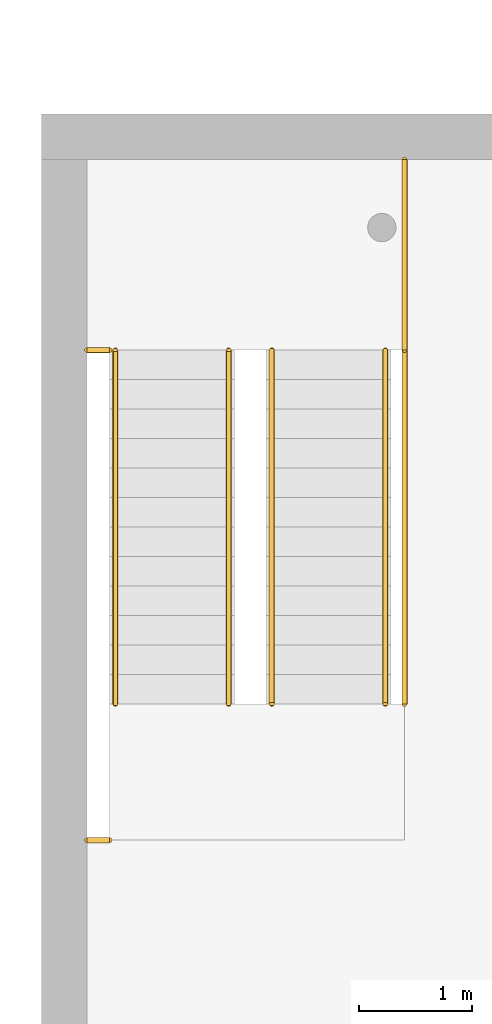
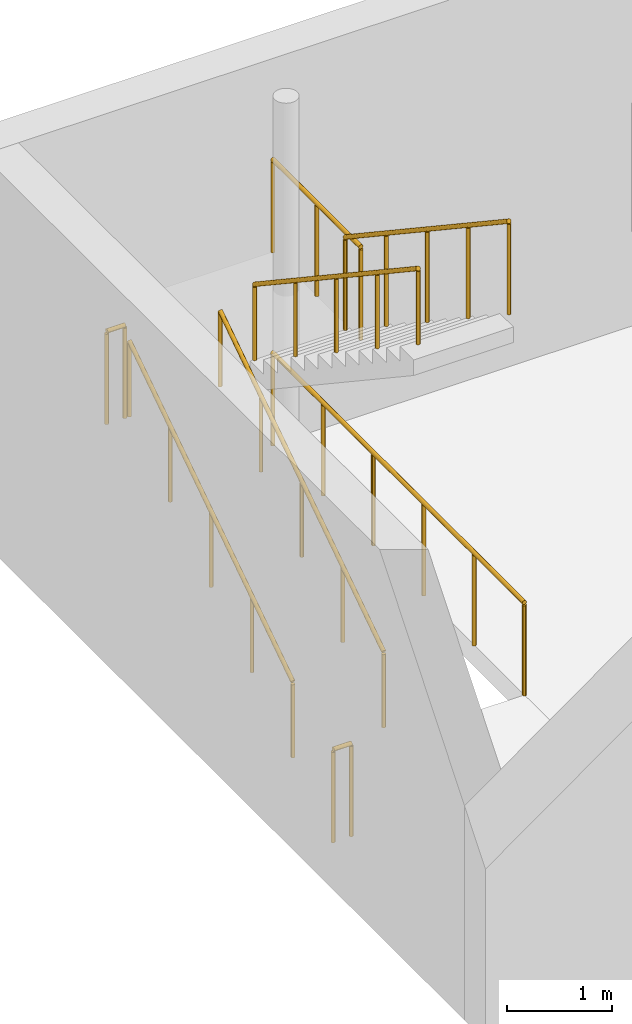
# One storey, part 18 of 21: 8 railings.
"""IFC4 building model written with IfcOpenShell, lengths in metres."""

from ifc_helpers import new_model, si_unit, direction, frame, origin, origin_2d, place, context, subcontext, project, spatial, circle, extrude, material, type_object, element, save


model = new_model("IFC4")

# Units and contexts
model_context = context("Model", 3, precision=1e-05, world=origin(), true_north=direction((0.0, 1.0)))
body_context = subcontext(model_context, "Body", "Model", "MODEL_VIEW")
ifc_project = project(units=[si_unit("LENGTHUNIT", "METRE"), si_unit("AREAUNIT", "SQUARE_METRE"), si_unit("VOLUMEUNIT", "CUBIC_METRE"), si_unit("PLANEANGLEUNIT", "RADIAN"), si_unit("MASSUNIT", "GRAM", prefix="KILO")], contexts=[model_context])

# Site, building, storey
site_placement = place(None, origin())
site = spatial("IfcSite", under=ifc_project, at=site_placement, CompositionType="ELEMENT")
building_placement = place(site_placement, origin())
building = spatial("IfcBuilding", under=site, at=building_placement, Name="Fogon Plaza Fire Station and Headquarters Tower", CompositionType="ELEMENT")
storey_placement = place(building_placement, frame((0.0, 0.0, 8.39990234375)))
storey = spatial("IfcBuildingStorey", under=building, at=storey_placement, Name="L02", CompositionType="ELEMENT", Elevation=8.39990234375)

# Railings
ifc_material_1 = material(Name="Stainless Steel", Category="steel")
railing_type_1 = type_object("IfcRailingType", Name="Guard Steel 1100", PredefinedType="GUARDRAIL", material=ifc_material_1)
railing_1_placement = place(storey_placement, frame((56.60009765625, 9.39990234375, 0.0)))
element("IfcRailing", 1, at=railing_1_placement, inside=storey, type_object=railing_type_1, Name="rail-DT1-L02-edge", PredefinedType="GUARDRAIL", context=body_context, shape_type="SweptSolid", body=[
    extrude(circle(Radius=0.02392578125, at=origin_2d()), frame((0.0, 0.0, 1.076171875), z_axis=(0.0, 1.0, 0.0), x_axis=(-1.0, 0.0, 0.0)), (0.0, 0.0, 1.0), 4.800048828125),
    extrude(circle(Radius=0.02099609375, at=origin_2d()), origin(), (0.0, 0.0, 1.0), 1.052001953125),
    extrude(circle(Radius=0.02099609375, at=origin_2d()), frame((0.0, 0.9599609375, 0.0)), (0.0, 0.0, 1.0), 1.052001953125),
    extrude(circle(Radius=0.02099609375, at=origin_2d()), frame((0.0, 1.919921875, 0.0)), (0.0, 0.0, 1.0), 1.052001953125),
    extrude(circle(Radius=0.02099609375, at=origin_2d()), frame((0.0, 2.880126953125, 0.0)), (0.0, 0.0, 1.0), 1.052001953125),
    extrude(circle(Radius=0.02099609375, at=origin_2d()), frame((0.0, 3.840087890625, 0.0)), (0.0, 0.0, 1.0), 1.052001953125),
    extrude(circle(Radius=0.02099609375, at=origin_2d()), frame((0.0, 4.800048828125, 0.0)), (0.0, 0.0, 1.0), 1.052001953125),
])
railing_2_placement = place(storey_placement, frame((53.800048828125, 8.199951171875, 0.0)))
element("IfcRailing", 2, at=railing_2_placement, inside=storey, type_object=railing_type_1, Name="rail-DT1-L02-slotmouth", PredefinedType="GUARDRAIL", context=body_context, shape_type="SweptSolid", body=[
    extrude(circle(Radius=0.02392578125, at=origin_2d()), frame((0.0, 0.0, 1.076171875), z_axis=(1.0, 0.0, 0.0), x_axis=(0.0, 1.0, 0.0)), (0.0, 0.0, 1.0), 0.199951171875),
    extrude(circle(Radius=0.02099609375, at=origin_2d()), origin(), (0.0, 0.0, 1.0), 1.052001953125),
    extrude(circle(Radius=0.02099609375, at=origin_2d()), frame((0.199951171875, 0.0, 0.0)), (0.0, 0.0, 1.0), 1.052001953125),
])
railing_3_placement = place(storey_placement, frame((56.429931640625, 12.52001953125, 2.423095703125)))
element("IfcRailing", 3, at=railing_3_placement, inside=storey, type_object=railing_type_1, Name="rail-DT1-L02-4", PredefinedType="GUARDRAIL", context=body_context, shape_type="SweptSolid", body=[
    extrude(circle(Radius=0.02392578125, at=origin_2d()), frame((0.0, 0.0, 1.076171875), z_axis=(0.0, -0.83244090515, 0.554113832559), x_axis=(1.0, 0.0, 0.0)), (0.0, 0.0, 1.0), 3.748046875),
    extrude(circle(Radius=0.02099609375, at=origin_2d()), origin(), (0.0, 0.0, 1.0), 1.052001953125),
    extrude(circle(Radius=0.02099609375, at=origin_2d()), frame((0.0, -0.780029296875, 0.519287109375)), (0.0, 0.0, 1.0), 1.052001953125),
    extrude(circle(Radius=0.02099609375, at=origin_2d()), frame((0.0, -1.56005859375, 1.03857421875)), (0.0, 0.0, 1.0), 1.052001953125),
    extrude(circle(Radius=0.02099609375, at=origin_2d()), frame((0.0, -2.340087890625, 1.5576171875)), (0.0, 0.0, 1.0), 1.052001953125),
    extrude(circle(Radius=0.02099609375, at=origin_2d()), frame((0.0, -3.1201171875, 2.076904296875)), (0.0, 0.0, 1.0), 1.052001953125),
])
railing_4_placement = place(storey_placement, frame((56.60009765625, 12.52001953125, 2.25)))
element("IfcRailing", 4, at=railing_4_placement, inside=storey, type_object=railing_type_1, Name="rail-DT1-L02-half", PredefinedType="GUARDRAIL", context=body_context, shape_type="SweptSolid", body=[
    extrude(circle(Radius=0.02392578125, at=origin_2d()), frame((0.0, 0.0, 1.076171875), z_axis=(0.0, 1.0, 0.0), x_axis=(-1.0, 0.0, 0.0)), (0.0, 0.0, 1.0), 1.679931640625),
    extrude(circle(Radius=0.02099609375, at=origin_2d()), origin(), (0.0, 0.0, 1.0), 1.052001953125),
    extrude(circle(Radius=0.02099609375, at=origin_2d()), frame((0.0, 0.83984375, 0.0)), (0.0, 0.0, 1.0), 1.052001953125),
    extrude(circle(Radius=0.02099609375, at=origin_2d()), frame((0.0, 1.679931640625, 0.0)), (0.0, 0.0, 1.0), 1.052001953125),
])
railing_5_placement = place(storey_placement, frame((53.800048828125, 12.52001953125, 2.25)))
element("IfcRailing", 5, at=railing_5_placement, inside=storey, type_object=railing_type_1, Name="rail-DT1-L02-slot", PredefinedType="GUARDRAIL", context=body_context, shape_type="SweptSolid", body=[
    extrude(circle(Radius=0.02392578125, at=origin_2d()), frame((0.0, 0.0, 1.076171875), z_axis=(1.0, 0.0, 0.0), x_axis=(0.0, 1.0, 0.0)), (0.0, 0.0, 1.0), 0.199951171875),
    extrude(circle(Radius=0.02099609375, at=origin_2d()), origin(), (0.0, 0.0, 1.0), 1.052001953125),
    extrude(circle(Radius=0.02099609375, at=origin_2d()), frame((0.199951171875, 0.0, 0.0)), (0.0, 0.0, 1.0), 1.052001953125),
])
ifc_material_2 = material(Name="Stainless Steel", Category="steel")
railing_type_2 = type_object("IfcRailingType", Name="Stair Handrail Steel 900", PredefinedType="HANDRAIL", material=ifc_material_2)
for number, where, name in (
    (6, (54.050048828125, 9.39990234375, 0.173095703125), "rail-DT1-L02-1"),
    (7, (55.050048828125, 9.39990234375, 0.173095703125), "rail-DT1-L02-2"),
):
    element("IfcRailing", number, at=place(storey_placement, frame(where)), inside=storey, type_object=railing_type_2, Name=name, PredefinedType="HANDRAIL", context=body_context, shape_type="SweptSolid", body=[
        extrude(circle(Radius=0.02392578125, at=origin_2d()), frame((0.0, 0.0, 0.8759765625), z_axis=(0.0, 0.83244090515, 0.554113832559), x_axis=(-1.0, 0.0, 0.0)), (0.0, 0.0, 1.0), 3.748046875),
        extrude(circle(Radius=0.02099609375, at=origin_2d()), origin(), (0.0, 0.0, 1.0), 0.851806640625),
        extrude(circle(Radius=0.02099609375, at=origin_2d()), frame((0.0, 0.780029296875, 0.519287109375)), (0.0, 0.0, 1.0), 0.851806640625),
        extrude(circle(Radius=0.02099609375, at=origin_2d()), frame((0.0, 1.56005859375, 1.03857421875)), (0.0, 0.0, 1.0), 0.851806640625),
        extrude(circle(Radius=0.02099609375, at=origin_2d()), frame((0.0, 2.340087890625, 1.5576171875)), (0.0, 0.0, 1.0), 0.851806640625),
        extrude(circle(Radius=0.02099609375, at=origin_2d()), frame((0.0, 3.1201171875, 2.076904296875)), (0.0, 0.0, 1.0), 0.851806640625),
    ])
railing_6_placement = place(storey_placement, frame((55.429931640625, 12.52001953125, 2.423095703125)))
element("IfcRailing", 8, at=railing_6_placement, inside=storey, type_object=railing_type_2, Name="rail-DT1-L02-3", PredefinedType="HANDRAIL", context=body_context, shape_type="SweptSolid", body=[
    extrude(circle(Radius=0.02392578125, at=origin_2d()), frame((0.0, 0.0, 0.8759765625), z_axis=(0.0, -0.83244090515, 0.554113832559), x_axis=(1.0, 0.0, 0.0)), (0.0, 0.0, 1.0), 3.748046875),
    extrude(circle(Radius=0.02099609375, at=origin_2d()), origin(), (0.0, 0.0, 1.0), 0.851806640625),
    extrude(circle(Radius=0.02099609375, at=origin_2d()), frame((0.0, -0.780029296875, 0.519287109375)), (0.0, 0.0, 1.0), 0.851806640625),
    extrude(circle(Radius=0.02099609375, at=origin_2d()), frame((0.0, -1.56005859375, 1.03857421875)), (0.0, 0.0, 1.0), 0.851806640625),
    extrude(circle(Radius=0.02099609375, at=origin_2d()), frame((0.0, -2.340087890625, 1.5576171875)), (0.0, 0.0, 1.0), 0.851806640625),
    extrude(circle(Radius=0.02099609375, at=origin_2d()), frame((0.0, -3.1201171875, 2.076904296875)), (0.0, 0.0, 1.0), 0.851806640625),
])

save(model, "model.ifc")
